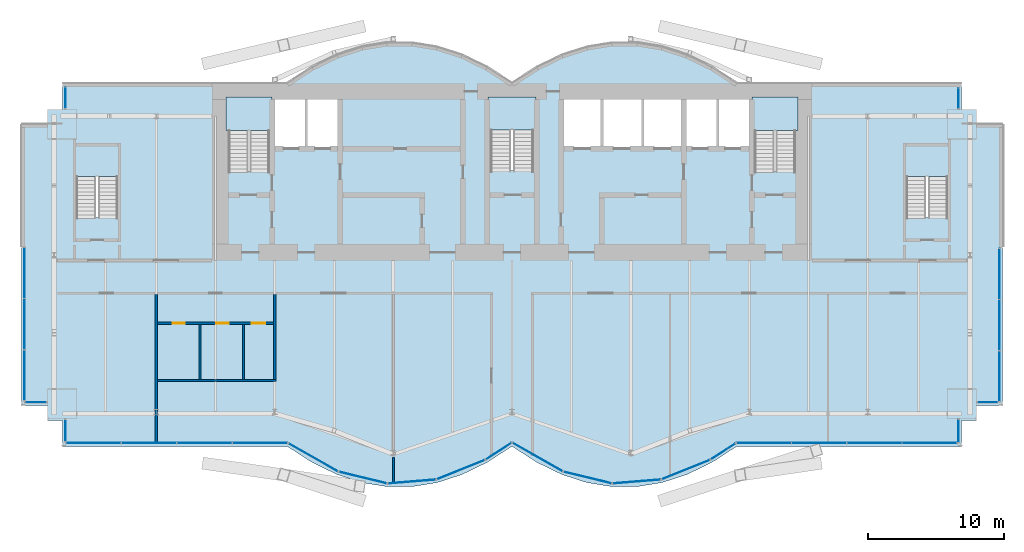
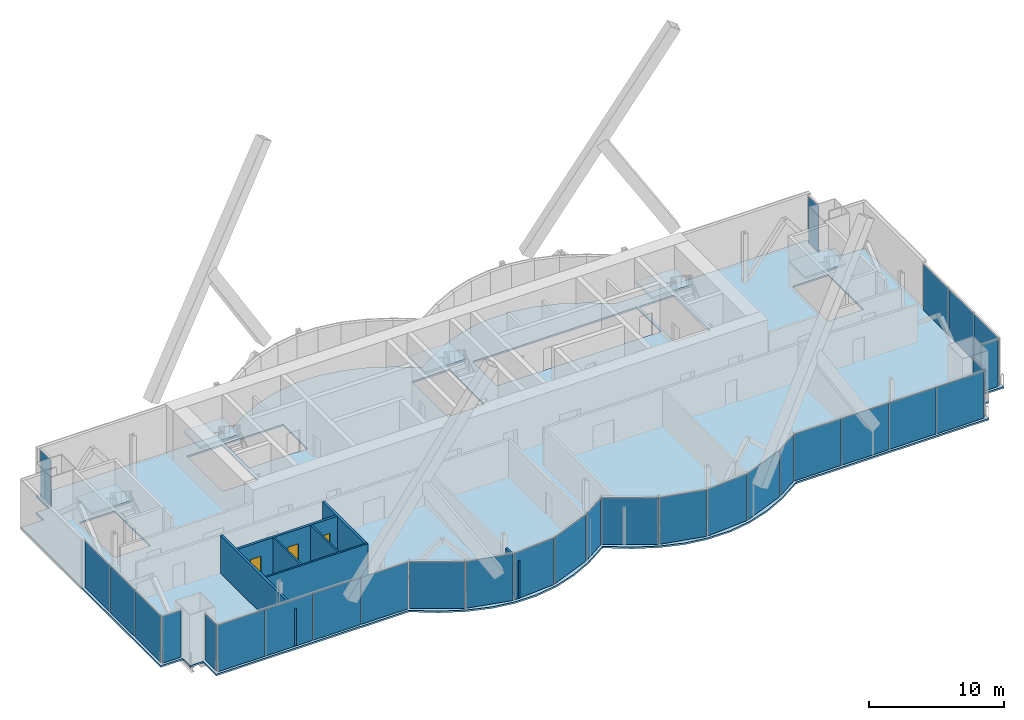
# One storey, part 13 of 20: 30 plates, 7 walls, 6 slabs, 3 doors, 3 openings, 17 elements without a shape of their own.
"""IFC4 building model written with IfcOpenShell, lengths in metres."""

from ifc_helpers import new_model, si_unit, direction, frame, frame_2d, origin, origin_2d, place, context, subcontext, project, spatial, polyline, rectangle, outline, extrude, material, layer, layer_set, type_object, element, fill, aggregate, save


model = new_model("IFC4")

# Units and contexts
model_context = context("Model", 3, precision=1e-05, world=origin(), true_north=direction((0.0, 1.0)))
body_context = subcontext(model_context, "Body", "Model", "MODEL_VIEW")
ifc_project = project(units=[si_unit("LENGTHUNIT", "METRE"), si_unit("AREAUNIT", "SQUARE_METRE"), si_unit("VOLUMEUNIT", "CUBIC_METRE"), si_unit("PLANEANGLEUNIT", "RADIAN"), si_unit("MASSUNIT", "GRAM", prefix="KILO")], contexts=[model_context])

# Site, building, storey
site_placement = place(None, origin())
site = spatial("IfcSite", under=ifc_project, at=site_placement, CompositionType="ELEMENT")
building_placement = place(site_placement, origin())
building = spatial("IfcBuilding", under=site, at=building_placement, Name="Bicima Exchange Tower", CompositionType="ELEMENT")
storey_placement = place(building_placement, frame((0.0, 0.0, 306.5)))
storey = spatial("IfcBuildingStorey", under=building, at=storey_placement, Name="L69", CompositionType="ELEMENT", Elevation=306.5)

# Slab
ifc_material_1 = material(Name="Concrete C40/50", Category="concrete")
ifc_layer_1 = layer(ifc_material_1, 0.14990234375)
ifc_layer_set_1 = layer_set([ifc_layer_1], Name="Concrete C40/50")
slab_type_1 = type_object("IfcSlabType", Name="Composite floor slab 150", PredefinedType="FLOOR", material=ifc_layer_set_1)
slab_1_placement = place(storey_placement, frame((0.0, 0.0, -0.14990234375)))
element("IfcSlab", 1, at=slab_1_placement, inside=storey, type_object=slab_type_1, Name="Floor slab", PredefinedType="FLOOR", context=body_context, shape_type="SweptSolid", body=[
    extrude(outline(polyline([(-36.0, -23.6279296875), (-36.0, -3.0), (-34.10009765625, -3.0), (-34.10009765625, -1.89990234375), (-33.0, -1.89990234375), (-33.0, 0.0), (-16.5, 0.0), (-14.666748046875, 1.185302734375), (-12.833251953125, 2.07421875), (-11.0, 2.666748046875), (-9.166748046875, 2.962890625), (-7.333251953125, 2.962890625), (-5.5, 2.666748046875), (-3.666748046875, 2.07421875), (-1.833251953125, 1.185302734375), (0.0, 0.0), (1.833251953125, 1.185302734375), (3.666748046875, 2.07421875), (5.5, 2.666748046875), (7.333251953125, 2.962890625), (9.166748046875, 2.962890625), (11.0, 2.666748046875), (12.833251953125, 2.07421875), (14.666748046875, 1.185302734375), (16.5, 0.0), (33.0, 0.0), (33.0, -1.89990234375), (34.10009765625, -1.89990234375), (34.10009765625, -3.0), (36.0, -3.0), (36.0, -23.6279296875), (34.10009765625, -23.6279296875), (34.10009765625, -24.72802734375), (33.0, -24.72802734375), (33.0, -26.6279296875), (16.5, -26.6279296875), (14.666748046875, -27.813232421875), (12.833251953125, -28.7021484375), (11.0, -29.294677734375), (9.166748046875, -29.591064453125), (7.333251953125, -29.591064453125), (5.5, -29.294677734375), (3.666748046875, -28.7021484375), (1.833251953125, -27.813232421875), (0.0, -26.6279296875), (-1.833251953125, -27.813232421875), (-3.666748046875, -28.7021484375), (-5.5, -29.294677734375), (-7.333251953125, -29.591064453125), (-9.166748046875, -29.591064453125), (-11.0, -29.294677734375), (-12.833251953125, -28.7021484375), (-14.666748046875, -27.813232421875), (-16.5, -26.6279296875), (-33.0, -26.6279296875), (-33.0, -24.72802734375), (-34.10009765625, -24.72802734375), (-34.10009765625, -23.6279296875), (-36.0, -23.6279296875)]), holes=[polyline([(-28.925048828125, -9.824951171875), (-28.925048828125, -4.625), (-31.97509765625, -4.625), (-31.97509765625, -9.824951171875), (-28.925048828125, -9.824951171875)]), polyline([(-20.800048828125, -6.449951171875), (-17.800048828125, -6.449951171875), (-17.800048828125, -1.199951171875), (-20.800048828125, -1.199951171875), (-20.800048828125, -6.449951171875)]), polyline([(-1.574951171875, -6.39990234375), (1.574951171875, -6.39990234375), (1.574951171875, -1.199951171875), (-1.574951171875, -1.199951171875), (-1.574951171875, -6.39990234375)]), polyline([(-12.60009765625, -1.199951171875), (-15.10009765625, -1.199951171875), (-17.60009765625, -1.199951171875), (-17.60009765625, -4.800048828125), (-15.10009765625, -4.800048828125), (-12.60009765625, -4.800048828125), (-12.60009765625, -1.199951171875)]), polyline([(3.60009765625, -4.800048828125), (6.60009765625, -4.800048828125), (9.60009765625, -4.800048828125), (12.60009765625, -4.800048828125), (15.10009765625, -4.800048828125), (17.60009765625, -4.800048828125), (17.60009765625, -1.199951171875), (15.10009765625, -1.199951171875), (12.60009765625, -1.199951171875), (9.60009765625, -1.199951171875), (6.60009765625, -1.199951171875), (3.60009765625, -1.199951171875), (3.60009765625, -4.800048828125)]), polyline([(31.97509765625, -9.824951171875), (31.97509765625, -4.625), (28.925048828125, -4.625), (28.925048828125, -9.824951171875), (31.97509765625, -9.824951171875)]), polyline([(17.800048828125, -6.449951171875), (20.800048828125, -6.449951171875), (20.800048828125, -1.199951171875), (17.800048828125, -1.199951171875), (17.800048828125, -6.449951171875)])]), origin(), (0.0, 0.0, 1.0), 0.14990234375),
])

# Curtain wall, plates
ifc_material_2 = material(Name="Anodised bronze aluminium", Category="aluminium")
curtain_wall_type_1 = type_object("IfcCurtainWallType", Name="End face glass wall", PredefinedType="NOTDEFINED", material=ifc_material_2)
curtain_wall_1_placement = place(storey_placement, origin())
curtain_wall_1 = element("IfcCurtainWall", 2, at=curtain_wall_1_placement, inside=storey, type_object=curtain_wall_type_1, Name="End face glass wall L69 run 2", PredefinedType="NOTDEFINED")
ifc_material_3 = material(Name="Bronze tinted glass", Category="glass")
ifc_layer_2 = layer(ifc_material_3, 0.031982421875)
ifc_layer_set_2 = layer_set([ifc_layer_2], Name="Bronze tinted glass")
plate_type_1 = type_object("IfcPlateType", Name="End face glass wall glass panel 32", PredefinedType="CURTAIN_PANEL", material=ifc_layer_set_2)
plate_1_placement = place(storey_placement, frame((-35.77001953125, -13.90625, 0.0), z_axis=(0.0, 0.0, 1.0), x_axis=(0.0, -1.0, 0.0)))
plate_1 = element("IfcPlate", 3, at=plate_1_placement, type_object=plate_type_1, Name="End face glass wall panel 1.1", PredefinedType="CURTAIN_PANEL", context=body_context, shape_type="SweptSolid", body=[
    extrude(rectangle(XDim=3.692626953125, YDim=0.031982421875, at=origin_2d()), origin(), (0.0, 0.0, 1.0), 4.2099609375),
])
plate_2_placement = place(storey_placement, frame((-35.77001953125, -21.41162109375, 0.0), z_axis=(0.0, 0.0, 1.0), x_axis=(0.0, -1.0, 0.0)))
plate_2 = element("IfcPlate", 4, at=plate_2_placement, type_object=plate_type_1, Name="End face glass wall panel 3.1", PredefinedType="CURTAIN_PANEL", context=body_context, shape_type="SweptSolid", body=[
    extrude(rectangle(XDim=3.692626953125, YDim=0.031982421875, at=origin_2d()), origin(), (0.0, 0.0, 1.0), 4.2099609375),
])

curtain_wall_2_placement = place(storey_placement, origin())
curtain_wall_2 = element("IfcCurtainWall", 5, at=curtain_wall_2_placement, inside=storey, type_object=curtain_wall_type_1, Name="End face glass wall L69 run 19", PredefinedType="NOTDEFINED")
plate_3_placement = place(storey_placement, frame((35.77001953125, -21.49169921875, 0.0), z_axis=(0.0, 0.0, 1.0), x_axis=(0.0, 1.0, 0.0)))
plate_3 = element("IfcPlate", 6, at=plate_3_placement, type_object=plate_type_1, Name="End face glass wall panel 1.1", PredefinedType="CURTAIN_PANEL", context=body_context, shape_type="SweptSolid", body=[
    extrude(rectangle(XDim=3.692626953125, YDim=0.031982421875, at=origin_2d()), origin(), (0.0, 0.0, 1.0), 4.2099609375),
])
plate_4_placement = place(storey_placement, frame((35.77001953125, -13.986328125, 0.0), z_axis=(0.0, 0.0, 1.0), x_axis=(0.0, 1.0, 0.0)))
plate_4 = element("IfcPlate", 7, at=plate_4_placement, type_object=plate_type_1, Name="End face glass wall panel 3.1", PredefinedType="CURTAIN_PANEL", context=body_context, shape_type="SweptSolid", body=[
    extrude(rectangle(XDim=3.692626953125, YDim=0.031982421875, at=origin_2d()), origin(), (0.0, 0.0, 1.0), 4.2099609375),
])

# Plate
ifc_material_4 = material(Name="Bronze anodised aluminium", Category="aluminium")
ifc_layer_3 = layer(ifc_material_4, 0.031982421875)
ifc_layer_set_3 = layer_set([ifc_layer_3], Name="Bronze anodised aluminium")
plate_type_2 = type_object("IfcPlateType", Name="End face glass wall spandrel panel 32", PredefinedType="CURTAIN_PANEL", material=ifc_layer_set_3)
plate_5_placement = place(storey_placement, frame((-35.77001953125, -17.658935546875, 0.0), z_axis=(0.0, 0.0, 1.0), x_axis=(0.0, -1.0, 0.0)))
plate_5 = element("IfcPlate", 8, at=plate_5_placement, type_object=plate_type_2, Name="End face spandrel wall panel 2.1", PredefinedType="CURTAIN_PANEL", context=body_context, shape_type="SweptSolid", body=[
    extrude(rectangle(XDim=3.692626953125, YDim=0.031982421875, at=origin_2d()), origin(), (0.0, 0.0, 1.0), 4.2099609375),
])

aggregate(curtain_wall_1, [plate_1, plate_5, plate_2])

plate_6_placement = place(storey_placement, frame((35.77001953125, -17.739013671875, 0.0), z_axis=(0.0, 0.0, 1.0), x_axis=(0.0, 1.0, 0.0)))
plate_6 = element("IfcPlate", 9, at=plate_6_placement, type_object=plate_type_2, Name="End face spandrel wall panel 2.1", PredefinedType="CURTAIN_PANEL", context=body_context, shape_type="SweptSolid", body=[
    extrude(rectangle(XDim=3.692626953125, YDim=0.031982421875, at=origin_2d()), origin(), (0.0, 0.0, 1.0), 4.2099609375),
])

aggregate(curtain_wall_2, [plate_3, plate_6, plate_4])

# Curtain wall, plate
curtain_wall_type_2 = type_object("IfcCurtainWallType", Name="Front glass wall", PredefinedType="NOTDEFINED", material=ifc_material_2)
curtain_wall_3_placement = place(storey_placement, origin())
curtain_wall_3 = element("IfcCurtainWall", 10, at=curtain_wall_3_placement, inside=storey, type_object=curtain_wall_type_2, Name="Front glass wall L69 run 1", PredefinedType="NOTDEFINED")
ifc_layer_4 = layer(ifc_material_3, 0.031982421875)
ifc_layer_set_4 = layer_set([ifc_layer_4], Name="Bronze tinted glass")
plate_type_3 = type_object("IfcPlateType", Name="Front glass wall glass panel 32", PredefinedType="CURTAIN_PANEL", material=ifc_layer_set_4)
plate_7_placement = place(storey_placement, frame((-32.77001953125, -1.06494140625, 0.0), z_axis=(0.0, 0.0, 1.0), x_axis=(0.0, -1.0, 0.0)))
plate_7 = element("IfcPlate", 11, at=plate_7_placement, type_object=plate_type_3, Name="Front glass wall panel 1.1", PredefinedType="CURTAIN_PANEL", context=body_context, shape_type="SweptSolid", body=[
    extrude(rectangle(XDim=1.550048828125, YDim=0.031982421875, at=origin_2d()), origin(), (0.0, 0.0, 1.0), 4.2099609375),
])
aggregate(curtain_wall_3, [plate_7])

curtain_wall_4_placement = place(storey_placement, origin())
curtain_wall_4 = element("IfcCurtainWall", 12, at=curtain_wall_4_placement, inside=storey, type_object=curtain_wall_type_2, Name="Front glass wall L69 run 3", PredefinedType="NOTDEFINED")
plate_8_placement = place(storey_placement, frame((-34.93505859375, -23.39794921875, 0.0), z_axis=(0.0, 0.0, 1.0), x_axis=(1.0, 0.0, 0.0)))
plate_8 = element("IfcPlate", 13, at=plate_8_placement, type_object=plate_type_3, Name="Front glass wall panel 1.1", PredefinedType="CURTAIN_PANEL", context=body_context, shape_type="SweptSolid", body=[
    extrude(rectangle(XDim=1.550048828125, YDim=0.031982421875, at=origin_2d()), origin(), (0.0, 0.0, 1.0), 4.2099609375),
])
aggregate(curtain_wall_4, [plate_8])

curtain_wall_5_placement = place(storey_placement, origin())
curtain_wall_5 = element("IfcCurtainWall", 14, at=curtain_wall_5_placement, inside=storey, type_object=curtain_wall_type_2, Name="Front glass wall L69 run 4", PredefinedType="NOTDEFINED")
plate_9_placement = place(storey_placement, frame((-32.77001953125, -25.4619140625, 0.0), z_axis=(0.0, 0.0, 1.0), x_axis=(0.0, -1.0, 0.0)))
plate_9 = element("IfcPlate", 15, at=plate_9_placement, type_object=plate_type_3, Name="Front glass wall panel 1.1", PredefinedType="CURTAIN_PANEL", context=body_context, shape_type="SweptSolid", body=[
    extrude(rectangle(XDim=1.592041015625, YDim=0.031982421875, at=origin_2d()), origin(), (0.0, 0.0, 1.0), 4.2099609375),
])
aggregate(curtain_wall_5, [plate_9])

# Curtain wall, plates
curtain_wall_6_placement = place(storey_placement, origin())
curtain_wall_6 = element("IfcCurtainWall", 16, at=curtain_wall_6_placement, inside=storey, type_object=curtain_wall_type_2, Name="Front glass wall L69 run 5", PredefinedType="NOTDEFINED")
plate_10_placement = place(storey_placement, frame((-30.705322265625, -26.39794921875, 0.0), z_axis=(0.0, 0.0, 1.0), x_axis=(1.0, 0.0, 0.0)))
plate_10 = element("IfcPlate", 17, at=plate_10_placement, type_object=plate_type_3, Name="Front glass wall panel 1.1", PredefinedType="CURTAIN_PANEL", context=body_context, shape_type="SweptSolid", body=[
    extrude(rectangle(XDim=4.009521484375, YDim=0.031982421875, at=origin_2d()), origin(), (0.0, 0.0, 1.0), 4.2099609375),
])
plate_11_placement = place(storey_placement, frame((-18.496826171875, -26.39794921875, 0.0), z_axis=(0.0, 0.0, 1.0), x_axis=(1.0, 0.0, 0.0)))
plate_11 = element("IfcPlate", 18, at=plate_11_placement, type_object=plate_type_3, Name="Front glass wall panel 4.1", PredefinedType="CURTAIN_PANEL", context=body_context, shape_type="SweptSolid", body=[
    extrude(rectangle(XDim=4.009521484375, YDim=0.031982421875, at=origin_2d()), origin(), (0.0, 0.0, 1.0), 4.2099609375),
])

curtain_wall_7_placement = place(storey_placement, origin())
curtain_wall_7 = element("IfcCurtainWall", 19, at=curtain_wall_7_placement, inside=storey, type_object=curtain_wall_type_2, Name="Front glass wall L69 run 6", PredefinedType="NOTDEFINED")
plate_12_placement = place(storey_placement, frame((-14.589599609375, -27.443115234375, 0.0), z_axis=(0.0, 0.0, 1.0), x_axis=(0.869805110681, -0.493395449343, 0.0)))
plate_12 = element("IfcPlate", 20, at=plate_12_placement, type_object=plate_type_3, Name="Front glass wall panel 1.1", PredefinedType="CURTAIN_PANEL", context=body_context, shape_type="SweptSolid", body=[
    extrude(rectangle(XDim=4.1162109375, YDim=0.031982421875, at=origin_2d()), origin(), (0.0, 0.0, 1.0), 4.2099609375),
])
plate_13_placement = place(storey_placement, frame((-3.750244140625, -28.34130859375, 0.0), z_axis=(0.0, 0.0, 1.0), x_axis=(0.92714396679, 0.374705304, 0.0)))
plate_13 = element("IfcPlate", 21, at=plate_13_placement, type_object=plate_type_3, Name="Front glass wall panel 1.1", PredefinedType="CURTAIN_PANEL", context=body_context, shape_type="SweptSolid", body=[
    extrude(rectangle(XDim=3.771240234375, YDim=0.031982421875, at=origin_2d()), origin(), (0.0, 0.0, 1.0), 4.2099609375),
])
plate_14_placement = place(storey_placement, frame((-0.97314453125, -26.983154296875, 0.0), z_axis=(0.0, 0.0, 1.0), x_axis=(0.839798994301, 0.542897457326, 0.0)))
plate_14 = element("IfcPlate", 22, at=plate_14_placement, type_object=plate_type_3, Name="Front glass wall panel 1.1", PredefinedType="CURTAIN_PANEL", context=body_context, shape_type="SweptSolid", body=[
    extrude(rectangle(XDim=2.197509765625, YDim=0.031982421875, at=origin_2d()), origin(), (0.0, 0.0, 1.0), 4.2099609375),
])

curtain_wall_8_placement = place(storey_placement, origin())
curtain_wall_8 = element("IfcCurtainWall", 23, at=curtain_wall_8_placement, inside=storey, type_object=curtain_wall_type_2, Name="Front glass wall L69 run 11", PredefinedType="NOTDEFINED")
plate_15_placement = place(storey_placement, frame((1.876220703125, -27.421142578125, 0.0), z_axis=(0.0, 0.0, 1.0), x_axis=(0.869274147378, -0.494330311331, 0.0)))
plate_15 = element("IfcPlate", 24, at=plate_15_placement, type_object=plate_type_3, Name="Front glass wall panel 1.1", PredefinedType="CURTAIN_PANEL", context=body_context, shape_type="SweptSolid", body=[
    extrude(rectangle(XDim=4.197021484375, YDim=0.031982421875, at=origin_2d()), origin(), (0.0, 0.0, 1.0), 4.2099609375),
])
plate_16_placement = place(storey_placement, frame((5.55224609375, -28.924560546875, 0.0), z_axis=(0.0, 0.0, 1.0), x_axis=(0.971830343553, -0.235681529503, 0.0)))
plate_16 = element("IfcPlate", 25, at=plate_16_placement, type_object=plate_type_3, Name="Front glass wall panel 1.1", PredefinedType="CURTAIN_PANEL", context=body_context, shape_type="SweptSolid", body=[
    extrude(rectangle(XDim=3.583251953125, YDim=0.031982421875, at=origin_2d()), origin(), (0.0, 0.0, 1.0), 4.2099609375),
])
plate_17_placement = place(storey_placement, frame((15.492919921875, -27.005126953125, 0.0), z_axis=(0.0, 0.0, 1.0), x_axis=(0.839791413941, 0.542909183079, 0.0)))
plate_17 = element("IfcPlate", 26, at=plate_17_placement, type_object=plate_type_3, Name="Front glass wall panel 1.1", PredefinedType="CURTAIN_PANEL", context=body_context, shape_type="SweptSolid", body=[
    extrude(rectangle(XDim=2.11669921875, YDim=0.031982421875, at=origin_2d()), origin(), (0.0, 0.0, 1.0), 4.2099609375),
])

curtain_wall_9_placement = place(storey_placement, origin())
curtain_wall_9 = element("IfcCurtainWall", 27, at=curtain_wall_9_placement, inside=storey, type_object=curtain_wall_type_2, Name="Front glass wall L69 run 16", PredefinedType="NOTDEFINED")
plate_18_placement = place(storey_placement, frame((18.48681640625, -26.39794921875, 0.0), z_axis=(0.0, 0.0, 1.0), x_axis=(1.0, 0.0, 0.0)))
plate_18 = element("IfcPlate", 28, at=plate_18_placement, type_object=plate_type_3, Name="Front glass wall panel 1.1", PredefinedType="CURTAIN_PANEL", context=body_context, shape_type="SweptSolid", body=[
    extrude(rectangle(XDim=3.989501953125, YDim=0.031982421875, at=origin_2d()), origin(), (0.0, 0.0, 1.0), 4.2099609375),
])
plate_19_placement = place(storey_placement, frame((30.63525390625, -26.39794921875, 0.0), z_axis=(0.0, 0.0, 1.0), x_axis=(1.0, 0.0, 0.0)))
plate_19 = element("IfcPlate", 29, at=plate_19_placement, type_object=plate_type_3, Name="Front glass wall panel 4.1", PredefinedType="CURTAIN_PANEL", context=body_context, shape_type="SweptSolid", body=[
    extrude(rectangle(XDim=3.989501953125, YDim=0.031982421875, at=origin_2d()), origin(), (0.0, 0.0, 1.0), 4.2099609375),
])

# Curtain wall, plate
curtain_wall_10_placement = place(storey_placement, origin())
curtain_wall_10 = element("IfcCurtainWall", 30, at=curtain_wall_10_placement, inside=storey, type_object=curtain_wall_type_2, Name="Front glass wall L69 run 17", PredefinedType="NOTDEFINED")
plate_20_placement = place(storey_placement, frame((32.77001953125, -25.501953125, 0.0), z_axis=(0.0, 0.0, 1.0), x_axis=(0.0, 1.0, 0.0)))
plate_20 = element("IfcPlate", 31, at=plate_20_placement, type_object=plate_type_3, Name="Front glass wall panel 1.1", PredefinedType="CURTAIN_PANEL", context=body_context, shape_type="SweptSolid", body=[
    extrude(rectangle(XDim=1.672119140625, YDim=0.031982421875, at=origin_2d()), origin(), (0.0, 0.0, 1.0), 4.2099609375),
])
aggregate(curtain_wall_10, [plate_20])

curtain_wall_11_placement = place(storey_placement, origin())
curtain_wall_11 = element("IfcCurtainWall", 32, at=curtain_wall_11_placement, inside=storey, type_object=curtain_wall_type_2, Name="Front glass wall L69 run 18", PredefinedType="NOTDEFINED")
plate_21_placement = place(storey_placement, frame((34.89501953125, -23.39794921875, 0.0), z_axis=(0.0, 0.0, 1.0), x_axis=(1.0, 0.0, 0.0)))
plate_21 = element("IfcPlate", 33, at=plate_21_placement, type_object=plate_type_3, Name="Front glass wall panel 1.1", PredefinedType="CURTAIN_PANEL", context=body_context, shape_type="SweptSolid", body=[
    extrude(rectangle(XDim=1.469970703125, YDim=0.031982421875, at=origin_2d()), origin(), (0.0, 0.0, 1.0), 4.2099609375),
])
aggregate(curtain_wall_11, [plate_21])

curtain_wall_12_placement = place(storey_placement, origin())
curtain_wall_12 = element("IfcCurtainWall", 34, at=curtain_wall_12_placement, inside=storey, type_object=curtain_wall_type_2, Name="Front glass wall L69 run 20", PredefinedType="NOTDEFINED")
plate_22_placement = place(storey_placement, frame((32.77001953125, -1.10498046875, 0.0), z_axis=(0.0, 0.0, 1.0), x_axis=(0.0, 1.0, 0.0)))
plate_22 = element("IfcPlate", 35, at=plate_22_placement, type_object=plate_type_3, Name="Front glass wall panel 1.1", PredefinedType="CURTAIN_PANEL", context=body_context, shape_type="SweptSolid", body=[
    extrude(rectangle(XDim=1.469970703125, YDim=0.031982421875, at=origin_2d()), origin(), (0.0, 0.0, 1.0), 4.2099609375),
])
aggregate(curtain_wall_12, [plate_22])

# Plate
ifc_layer_5 = layer(ifc_material_4, 0.031982421875)
ifc_layer_set_5 = layer_set([ifc_layer_5], Name="Bronze anodised aluminium")
plate_type_4 = type_object("IfcPlateType", Name="Front glass wall spandrel panel 32", PredefinedType="CURTAIN_PANEL", material=ifc_layer_set_5)
plate_23_placement = place(storey_placement, frame((-26.6357421875, -26.39794921875, 0.0), z_axis=(0.0, 0.0, 1.0), x_axis=(1.0, 0.0, 0.0)))
plate_23 = element("IfcPlate", 36, at=plate_23_placement, type_object=plate_type_4, Name="Front spandrel wall panel 2.1", PredefinedType="CURTAIN_PANEL", context=body_context, shape_type="SweptSolid", body=[
    extrude(rectangle(XDim=4.009521484375, YDim=0.031982421875, at=origin_2d()), origin(), (0.0, 0.0, 1.0), 4.2099609375),
])

plate_24_placement = place(storey_placement, frame((-22.56640625, -26.39794921875, 0.0), z_axis=(0.0, 0.0, 1.0), x_axis=(1.0, 0.0, 0.0)))
plate_24 = element("IfcPlate", 37, at=plate_24_placement, type_object=plate_type_4, Name="Front spandrel wall panel 3.1", PredefinedType="CURTAIN_PANEL", context=body_context, shape_type="SweptSolid", body=[
    extrude(rectangle(XDim=4.009521484375, YDim=0.031982421875, at=origin_2d()), origin(), (0.0, 0.0, 1.0), 4.2099609375),
])

aggregate(curtain_wall_6, [plate_10, plate_23, plate_24, plate_11])

plate_25_placement = place(storey_placement, frame((-10.94775390625, -28.924560546875, 0.0), z_axis=(0.0, 0.0, 1.0), x_axis=(0.971830343553, -0.235681529503, 0.0)))
plate_25 = element("IfcPlate", 38, at=plate_25_placement, type_object=plate_type_4, Name="Front spandrel wall panel 1.1", PredefinedType="CURTAIN_PANEL", context=body_context, shape_type="SweptSolid", body=[
    extrude(rectangle(XDim=3.583251953125, YDim=0.031982421875, at=origin_2d()), origin(), (0.0, 0.0, 1.0), 4.2099609375),
])

plate_26_placement = place(storey_placement, frame((-7.35107421875, -29.2158203125, 0.0), z_axis=(0.0, 0.0, 1.0), x_axis=(0.99674744821, 0.080588612633, 0.0)))
plate_26 = element("IfcPlate", 39, at=plate_26_placement, type_object=plate_type_4, Name="Front spandrel wall panel 1.1", PredefinedType="CURTAIN_PANEL", context=body_context, shape_type="SweptSolid", body=[
    extrude(rectangle(XDim=3.486083984375, YDim=0.031982421875, at=origin_2d()), origin(), (0.0, 0.0, 1.0), 4.2099609375),
])

aggregate(curtain_wall_7, [plate_12, plate_25, plate_26, plate_13, plate_14])

plate_27_placement = place(storey_placement, frame((9.14892578125, -29.2158203125, 0.0), z_axis=(0.0, 0.0, 1.0), x_axis=(0.99674744821, 0.080588612633, 0.0)))
plate_27 = element("IfcPlate", 40, at=plate_27_placement, type_object=plate_type_4, Name="Front spandrel wall panel 1.1", PredefinedType="CURTAIN_PANEL", context=body_context, shape_type="SweptSolid", body=[
    extrude(rectangle(XDim=3.486083984375, YDim=0.031982421875, at=origin_2d()), origin(), (0.0, 0.0, 1.0), 4.2099609375),
])

plate_28_placement = place(storey_placement, frame((12.749755859375, -28.34130859375, 0.0), z_axis=(0.0, 0.0, 1.0), x_axis=(0.92714396679, 0.374705304, 0.0)))
plate_28 = element("IfcPlate", 41, at=plate_28_placement, type_object=plate_type_4, Name="Front spandrel wall panel 1.1", PredefinedType="CURTAIN_PANEL", context=body_context, shape_type="SweptSolid", body=[
    extrude(rectangle(XDim=3.771240234375, YDim=0.031982421875, at=origin_2d()), origin(), (0.0, 0.0, 1.0), 4.2099609375),
])

aggregate(curtain_wall_8, [plate_15, plate_16, plate_27, plate_28, plate_17])

plate_29_placement = place(storey_placement, frame((22.536376953125, -26.39794921875, 0.0), z_axis=(0.0, 0.0, 1.0), x_axis=(1.0, 0.0, 0.0)))
plate_29 = element("IfcPlate", 42, at=plate_29_placement, type_object=plate_type_4, Name="Front spandrel wall panel 2.1", PredefinedType="CURTAIN_PANEL", context=body_context, shape_type="SweptSolid", body=[
    extrude(rectangle(XDim=3.989501953125, YDim=0.031982421875, at=origin_2d()), origin(), (0.0, 0.0, 1.0), 4.2099609375),
])

plate_30_placement = place(storey_placement, frame((26.585693359375, -26.39794921875, 0.0), z_axis=(0.0, 0.0, 1.0), x_axis=(1.0, 0.0, 0.0)))
plate_30 = element("IfcPlate", 43, at=plate_30_placement, type_object=plate_type_4, Name="Front spandrel wall panel 3.1", PredefinedType="CURTAIN_PANEL", context=body_context, shape_type="SweptSolid", body=[
    extrude(rectangle(XDim=3.989501953125, YDim=0.031982421875, at=origin_2d()), origin(), (0.0, 0.0, 1.0), 4.2099609375),
])

aggregate(curtain_wall_9, [plate_18, plate_29, plate_30, plate_19])

# Stair, slab
ifc_material_5 = material(Name="Concrete C50/60", Category="concrete")
stair_type_1 = type_object("IfcStairType", Name="Exit stair", PredefinedType="HALF_TURN_STAIR", material=ifc_material_5)
stair_1_placement = place(storey_placement, origin())
stair_1 = element("IfcStair", 44, at=stair_1_placement, inside=storey, type_object=stair_type_1, Name="L69 West exit stair", PredefinedType="HALF_TURN_STAIR")
ifc_layer_6 = layer(ifc_material_5, 0.199951171875)
ifc_layer_set_6 = layer_set([ifc_layer_6], Name="Concrete C50/60")
slab_type_2 = type_object("IfcSlabType", Name="Stair landing slab", PredefinedType="LANDING", material=ifc_layer_set_6)
slab_2_placement = place(storey_placement, frame((0.0, 0.0, 2.050048828125)))
slab_2 = element("IfcSlab", 45, at=slab_2_placement, type_object=slab_type_2, Name="ST-W landing 1", PredefinedType="LANDING", context=body_context, shape_type="SweptSolid", body=[
    extrude(outline(polyline([(-17.60009765625, -3.469970703125), (-17.60009765625, -1.0), (-21.0, -1.0), (-21.0, -3.469970703125), (-17.60009765625, -3.469970703125)])), origin(), (0.0, 0.0, 1.0), 0.199951171875),
])
aggregate(stair_1, [slab_2])

stair_type_2 = type_object("IfcStairType", Name="Exit stair 1500", PredefinedType="HALF_TURN_STAIR", material=ifc_material_5)
stair_2_placement = place(storey_placement, origin())
stair_2 = element("IfcStair", 46, at=stair_2_placement, inside=storey, type_object=stair_type_2, Name="L69 Central exit stair", PredefinedType="HALF_TURN_STAIR")
slab_3_placement = place(storey_placement, frame((0.0, 0.0, 2.050048828125)))
slab_3 = element("IfcSlab", 47, at=slab_3_placement, type_object=slab_type_2, Name="ST-C landing 1", PredefinedType="LANDING", context=body_context, shape_type="SweptSolid", body=[
    extrude(outline(polyline([(1.77490234375, -3.419921875), (1.77490234375, -1.0), (-1.77490234375, -1.0), (-1.77490234375, -3.419921875), (1.77490234375, -3.419921875)])), origin(), (0.0, 0.0, 1.0), 0.199951171875),
])
aggregate(stair_2, [slab_3])

stair_3_placement = place(storey_placement, origin())
stair_3 = element("IfcStair", 48, at=stair_3_placement, inside=storey, type_object=stair_type_1, Name="L69 East exit stair", PredefinedType="HALF_TURN_STAIR")
slab_4_placement = place(storey_placement, frame((0.0, 0.0, 2.050048828125)))
slab_4 = element("IfcSlab", 49, at=slab_4_placement, type_object=slab_type_2, Name="ST-E landing 1", PredefinedType="LANDING", context=body_context, shape_type="SweptSolid", body=[
    extrude(outline(polyline([(21.0, -3.469970703125), (21.0, -1.0), (17.60009765625, -1.0), (17.60009765625, -3.469970703125), (21.0, -3.469970703125)])), origin(), (0.0, 0.0, 1.0), 0.199951171875),
])
aggregate(stair_3, [slab_4])

stair_4_placement = place(storey_placement, origin())
stair_4 = element("IfcStair", 50, at=stair_4_placement, inside=storey, type_object=stair_type_1, Name="L69 West end exit stair", PredefinedType="HALF_TURN_STAIR")
slab_5_placement = place(storey_placement, frame((0.0, 0.0, 2.050048828125)))
slab_5 = element("IfcSlab", 51, at=slab_5_placement, type_object=slab_type_2, Name="ST-WW landing 1", PredefinedType="LANDING", context=body_context, shape_type="SweptSolid", body=[
    extrude(outline(polyline([(-28.72509765625, -6.844970703125), (-28.72509765625, -4.425048828125), (-32.175048828125, -4.425048828125), (-32.175048828125, -6.844970703125), (-28.72509765625, -6.844970703125)])), origin(), (0.0, 0.0, 1.0), 0.199951171875),
])
aggregate(stair_4, [slab_5])

stair_5_placement = place(storey_placement, origin())
stair_5 = element("IfcStair", 52, at=stair_5_placement, inside=storey, type_object=stair_type_1, Name="L69 East end exit stair", PredefinedType="HALF_TURN_STAIR")
slab_6_placement = place(storey_placement, frame((0.0, 0.0, 2.050048828125)))
slab_6 = element("IfcSlab", 53, at=slab_6_placement, type_object=slab_type_2, Name="ST-EE landing 1", PredefinedType="LANDING", context=body_context, shape_type="SweptSolid", body=[
    extrude(outline(polyline([(32.175048828125, -6.844970703125), (32.175048828125, -4.425048828125), (28.72509765625, -4.425048828125), (28.72509765625, -6.844970703125), (32.175048828125, -6.844970703125)])), origin(), (0.0, 0.0, 1.0), 0.199951171875),
])
aggregate(stair_5, [slab_6])

# Wall, openings, doors
ifc_material_6 = material(Name="Gypsum board partition")
ifc_layer_7 = layer(ifc_material_6, 0.199951171875)
ifc_layer_set_7 = layer_set([ifc_layer_7], Name="Gypsum board partition")
wall_type_1 = type_object("IfcWallType", Name="Fire-rated gypsum partition 200 EI60", PredefinedType="PARTITIONING", material=ifc_layer_set_7)
wall_1_placement = place(storey_placement, frame((-26.0, -17.60009765625, 0.0), z_axis=(0.0, 0.0, 1.0), x_axis=(1.0, 0.0, 0.0)))
wall_1 = element("IfcWall", 54, at=wall_1_placement, inside=storey, type_object=wall_type_1, Name="partition wall 2", PredefinedType="PARTITIONING", context=body_context, shape_type="SweptSolid", body=[
    extrude(rectangle(XDim=8.5, YDim=0.199951171875, at=frame_2d((4.25, 0.0))), origin(), (0.0, 0.0, 1.0), 3.418212890625),
])
opening_1_placement = place(wall_1_placement, frame((1.10009765625, 0.0, 0.0)))
opening_1 = element("IfcOpeningElement", 55, at=opening_1_placement, cuts=wall_1, Name="Opening L69-009", PredefinedType="OPENING", context=body_context, shape_type="SweptSolid", body=[
    extrude(rectangle(XDim=0.89990234375, YDim=2.10009765625, at=frame_2d((0.449951171875, 1.050048828125))), frame((0.0, 0.11181640625, 0.0), z_axis=(0.0, -1.0, 0.0), x_axis=(1.0, 0.0, 0.0)), (0.0, 0.0, 1.0), 0.223876953125),
])
opening_2_placement = place(wall_1_placement, frame((4.300048828125, 0.0, 0.0)))
opening_2 = element("IfcOpeningElement", 56, at=opening_2_placement, cuts=wall_1, Name="Opening L69-010", PredefinedType="OPENING", context=body_context, shape_type="SweptSolid", body=[
    extrude(rectangle(XDim=0.89990234375, YDim=2.10009765625, at=frame_2d((0.449951171875, 1.050048828125))), frame((0.0, 0.11181640625, 0.0), z_axis=(0.0, -1.0, 0.0), x_axis=(1.0, 0.0, 0.0)), (0.0, 0.0, 1.0), 0.223876953125),
])
opening_3_placement = place(wall_1_placement, frame((6.89990234375, 0.0, 0.0)))
opening_3 = element("IfcOpeningElement", 57, at=opening_3_placement, cuts=wall_1, Name="Opening L69-011", PredefinedType="OPENING", context=body_context, shape_type="SweptSolid", body=[
    extrude(rectangle(XDim=1.0, YDim=2.10009765625, at=frame_2d((0.5, 1.050048828125))), frame((0.0, 0.11181640625, 0.0), z_axis=(0.0, -1.0, 0.0), x_axis=(1.0, 0.0, 0.0)), (0.0, 0.0, 1.0), 0.223876953125),
])
ifc_material_7 = material(Name="Steel fire door leaf", Category="steel")
door_type_1 = type_object("IfcDoorType", Name="Door 1000 swing FD30S", OperationType="SINGLE_SWING_LEFT", PredefinedType="DOOR", material=ifc_material_7)
door_1_placement = place(opening_3_placement, frame((1.0, 0.0, 0.0), z_axis=(0.0, 0.0, 1.0), x_axis=(-1.0, 0.0, 0.0)))
door_1 = element("IfcDoor", 58, at=door_1_placement, inside=storey, type_object=door_type_1, Name="Door", OperationType="SINGLE_SWING_RIGHT", OverallHeight=2.10009765625, OverallWidth=1.0, PredefinedType="DOOR", context=body_context, shape_type="SweptSolid", body=[
    extrude(rectangle(XDim=1.0, YDim=2.10009765625, at=frame_2d((0.5, 1.050048828125))), frame((0.0, 0.02490234375, 0.0), z_axis=(0.0, -1.0, 0.0), x_axis=(1.0, 0.0, 0.0)), (0.0, 0.0, 1.0), 0.050048828125),
])
fill(opening_3, door_1)
door_type_2 = type_object("IfcDoorType", Name="Door 900 swing FD30S", OperationType="SINGLE_SWING_LEFT", PredefinedType="DOOR", material=ifc_material_7)
door_2_placement = place(opening_1_placement, frame((0.89990234375, 0.0, 0.0), z_axis=(0.0, 0.0, 1.0), x_axis=(-1.0, 0.0, 0.0)))
door_2 = element("IfcDoor", 59, at=door_2_placement, inside=storey, type_object=door_type_2, Name="Door", OperationType="SINGLE_SWING_RIGHT", OverallHeight=2.10009765625, OverallWidth=0.89990234375, PredefinedType="DOOR", context=body_context, shape_type="SweptSolid", body=[
    extrude(rectangle(XDim=0.89990234375, YDim=2.10009765625, at=frame_2d((0.449951171875, 1.050048828125))), frame((0.0, 0.02490234375, 0.0), z_axis=(0.0, -1.0, 0.0), x_axis=(1.0, 0.0, 0.0)), (0.0, 0.0, 1.0), 0.050048828125),
])
fill(opening_1, door_2)
door_3_placement = place(opening_2_placement, frame((0.89990234375, 0.0, 0.0), z_axis=(0.0, 0.0, 1.0), x_axis=(-1.0, 0.0, 0.0)))
door_3 = element("IfcDoor", 60, at=door_3_placement, inside=storey, type_object=door_type_2, Name="Door", OperationType="SINGLE_SWING_LEFT", OverallHeight=2.10009765625, OverallWidth=0.89990234375, PredefinedType="DOOR", context=body_context, shape_type="SweptSolid", body=[
    extrude(rectangle(XDim=0.89990234375, YDim=2.10009765625, at=frame_2d((0.449951171875, 1.050048828125))), frame((0.0, 0.02490234375, 0.0), z_axis=(0.0, -1.0, 0.0), x_axis=(1.0, 0.0, 0.0)), (0.0, 0.0, 1.0), 0.050048828125),
])
fill(opening_2, door_3)

# Walls
wall_2_placement = place(storey_placement, frame((-26.10009765625, -26.419921875, 0.0), z_axis=(0.0, 0.0, 1.0), x_axis=(0.0, 1.0, 0.0)))
element("IfcWall", 61, at=wall_2_placement, inside=storey, type_object=wall_type_1, Name="partition wall 13", PredefinedType="PARTITIONING", context=body_context, shape_type="SweptSolid", body=[
    extrude(rectangle(XDim=10.919921875, YDim=0.199951171875, at=frame_2d((5.4599609375, 0.0))), origin(), (0.0, 0.0, 1.0), 3.418212890625),
])
wall_3_placement = place(storey_placement, frame((-17.39990234375, -21.72509765625, 0.0), z_axis=(0.0, 0.0, 1.0), x_axis=(0.0, 1.0, 0.0)))
element("IfcWall", 62, at=wall_3_placement, inside=storey, type_object=wall_type_1, Name="partition wall 16", PredefinedType="PARTITIONING", context=body_context, shape_type="SweptSolid", body=[
    extrude(rectangle(XDim=6.22509765625, YDim=0.199951171875, at=frame_2d((3.112548828125, 0.0))), origin(), (0.0, 0.0, 1.0), 3.418212890625),
])
ifc_layer_8 = layer(ifc_material_6, 0.14990234375)
ifc_layer_set_8 = layer_set([ifc_layer_8], Name="Gypsum board partition")
wall_type_2 = type_object("IfcWallType", Name="Gypsum partition 150", PredefinedType="PARTITIONING", material=ifc_layer_set_8)
wall_4_placement = place(storey_placement, frame((-26.0, -21.800048828125, 0.0), z_axis=(0.0, 0.0, 1.0), x_axis=(1.0, 0.0, 0.0)))
element("IfcWall", 63, at=wall_4_placement, inside=storey, type_object=wall_type_2, Name="partition wall 1", PredefinedType="PARTITIONING", context=body_context, shape_type="SweptSolid", body=[
    extrude(rectangle(XDim=8.699951171875, YDim=0.14990234375, at=frame_2d((4.35009765625, 0.0))), origin(), (0.0, 0.0, 1.0), 3.418212890625),
])
for number, where, z_axis, x_axis, name in (
    (64, (-22.89990234375, -21.72509765625, 0.0), (0.0, 0.0, 1.0), (0.0, 1.0, 0.0), "partition wall 14"),
    (65, (-19.699951171875, -21.72509765625, 0.0), (0.0, 0.0, 1.0), (0.0, 1.0, 0.0), "partition wall 15"),
):
    element("IfcWall", number, at=place(storey_placement, frame(where, z_axis=z_axis, x_axis=x_axis)), inside=storey, type_object=wall_type_2, Name=name, PredefinedType="PARTITIONING", context=body_context, shape_type="SweptSolid", body=[
        extrude(rectangle(XDim=4.025146484375, YDim=0.14990234375, at=frame_2d((2.0126953125, 0.0))), origin(), (0.0, 0.0, 1.0), 3.418212890625),
    ])
wall_5_placement = place(storey_placement, frame((-8.699951171875, -29.3798828125, 0.0), z_axis=(0.0, 0.0, 1.0), x_axis=(0.0, 1.0, 0.0)))
element("IfcWall", 66, at=wall_5_placement, inside=storey, type_object=wall_type_2, Name="partition wall 17", PredefinedType="PARTITIONING", context=body_context, shape_type="SweptSolid", body=[
    extrude(rectangle(XDim=1.9169921875, YDim=0.14990234375, at=frame_2d((0.95849609375, 0.0))), origin(), (0.0, 0.0, 1.0), 3.418212890625),
])

save(model, "model.ifc")
